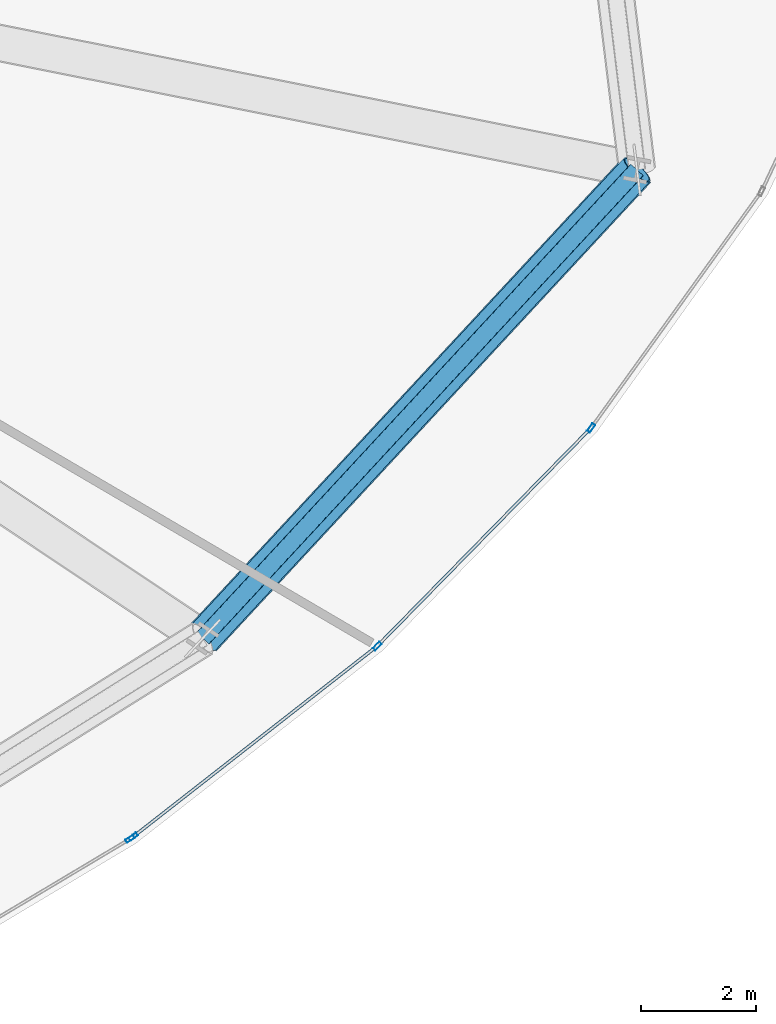
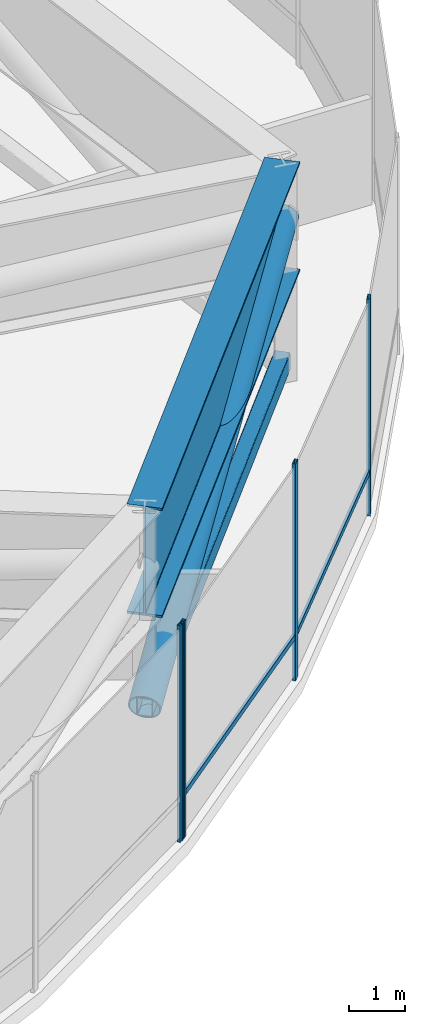
# One storey, part 13 of 33: 8 members, 1 beam, 2 elements without a shape of their own.
"""IFC4 building model written with IfcOpenShell, lengths in metres."""

from ifc_helpers import new_model, si_unit, direction, frame, origin, origin_2d, place, context, subcontext, project, spatial, hollow_rectangle, hollow_circle, i_section, extrude, source, transform, mapped, material, layer, layer_set, material_profile, profile_set, type_object, element, aggregate, save


model = new_model("IFC4")

# Units and contexts
model_context = context("Model", 3, precision=1e-05, world=origin(), true_north=direction((0.0, 1.0)))
body_context = subcontext(model_context, "Body", "Model", "MODEL_VIEW")
ifc_project = project(units=[si_unit("LENGTHUNIT", "METRE"), si_unit("AREAUNIT", "SQUARE_METRE"), si_unit("VOLUMEUNIT", "CUBIC_METRE"), si_unit("PLANEANGLEUNIT", "RADIAN"), si_unit("MASSUNIT", "GRAM", prefix="KILO"), si_unit("THERMODYNAMICTEMPERATUREUNIT", "KELVIN")], contexts=[model_context])

# Site, building, storey
site_placement = place(None, origin())
site = spatial("IfcSite", under=ifc_project, at=site_placement, CompositionType="ELEMENT")
building_placement = place(site_placement, origin())
building = spatial("IfcBuilding", under=site, at=building_placement, Name="Kethvar Cultural Tower", CompositionType="ELEMENT")
storey_placement = place(building_placement, frame((0.0, 0.0, 80.39990234375)))
storey = spatial("IfcBuildingStorey", under=building, at=storey_placement, Name="L19", CompositionType="ELEMENT", Elevation=80.39990234375)

# Beam
ifc_material_1 = material(Name="Steel S460M", Category="steel")
ifc_material_profile_1 = material_profile(ifc_material_1, i_section(OverallWidth=0.64990234375, OverallDepth=2.39990234375, WebThickness=0.030029296875, FlangeThickness=0.048095703125, FilletRadius=0.02197265625, at=origin_2d()), Name="Steel S460M — PG2400x650x48x30")
ifc_profile_set_1 = profile_set([ifc_material_profile_1], Name="Steel S460M — PG2400x650x48x30")
beam_type = type_object("IfcBeamType", Name="BM-TR2400", PredefinedType="BEAM", material=ifc_profile_set_1)
shared_shape_1 = source(origin(), body_context, "Body", "SweptSolid", [
    extrude(i_section(OverallWidth=0.64990234375, OverallDepth=2.39990234375, WebThickness=0.030029296875, FlangeThickness=0.048095703125, FilletRadius=0.02197265625, at=origin_2d()), origin(), (0.0, 0.0, 1.0), 11.13916015625),
])
beam_placement = place(storey_placement, frame((67.41845703125, 14.023193359375, 3.55810546875), z_axis=(0.679827924457, 0.73337166098, 0.0), x_axis=(-0.73337166098, 0.679827924457, 0.0)))
element("IfcBeam", 1, at=beam_placement, inside=storey, type_object=beam_type, Name="L19 Ring Belt Girder BG-15", PredefinedType="BEAM", context=body_context, shape_type="MappedRepresentation", body=[
    mapped(shared_shape_1, transform((0.0, 0.0, 0.0), scale=1.0)),
])

# Members
ifc_material_profile_2 = material_profile(ifc_material_1, hollow_rectangle(XDim=0.300048828125, YDim=0.39990234375, WallThickness=0.01611328125, InnerFilletRadius=0.01611328125, OuterFilletRadius=0.031982421875, at=origin_2d()), Name="Steel S460M — RHS400x300x16")
ifc_profile_set_2 = profile_set([ifc_material_profile_2], Name="Steel S460M — RHS400x300x16")
member_type_1 = type_object("IfcMemberType", Name="MB-CHD-400", PredefinedType="CHORD", material=ifc_profile_set_2)
shared_shape_2 = source(origin(), body_context, "Body", "SweptSolid", [
    extrude(hollow_rectangle(XDim=0.300048828125, YDim=0.39990234375, WallThickness=0.01611328125, InnerFilletRadius=0.01611328125, OuterFilletRadius=0.031982421875, at=origin_2d()), origin(), (0.0, 0.0, 1.0), 11.13916015625),
])
member_1_placement = place(storey_placement, frame((67.41845703125, 14.023193359375, 0.35009765625), z_axis=(0.679827924457, 0.73337166098, 0.0), x_axis=(-0.73337166098, 0.679827924457, 0.0)))
element("IfcMember", 2, at=member_1_placement, inside=storey, type_object=member_type_1, Name="L19 Ring Belt Bottom Chord BC-15", PredefinedType="CHORD", context=body_context, shape_type="MappedRepresentation", body=[
    mapped(shared_shape_2, transform((0.0, 0.0, 0.0), scale=1.0)),
])
ifc_material_profile_3 = material_profile(ifc_material_1, hollow_circle(Radius=0.304931640625, WallThickness=0.02490234375, at=origin_2d()), Name="Steel S460M — CHS610x25")
ifc_profile_set_3 = profile_set([ifc_material_profile_3], Name="Steel S460M — CHS610x25")
member_type_2 = type_object("IfcMemberType", Name="MB-OUT-610", PredefinedType="BRACE", material=ifc_profile_set_3)
shared_shape_3 = source(origin(), body_context, "Body", "SweptSolid", [
    extrude(hollow_circle(Radius=0.304931640625, WallThickness=0.02490234375, at=origin_2d()), origin(), (0.0, 0.0, 1.0), 11.592041015625),
])
member_2_placement = place(storey_placement, frame((67.41845703125, 14.023193359375, 0.35009765625), z_axis=(0.653276314369, 0.704728826974, 0.276744173409), x_axis=(-0.73337166098, 0.679827924457, 0.0)))
element("IfcMember", 3, at=member_2_placement, inside=storey, type_object=member_type_2, Name="L19 Ring Belt Diagonal BD-15", PredefinedType="BRACE", context=body_context, shape_type="MappedRepresentation", body=[
    mapped(shared_shape_3, transform((0.0, 0.0, 0.0), scale=1.0)),
])

# Curtain wall, member
ifc_material_2 = material(Name="Aluminium 6063-T6", Category="aluminium")
ifc_layer = layer(ifc_material_2, 0.179931640625, Name="Aluminium 6063-T6", Category="aluminium")
ifc_layer_set = layer_set([ifc_layer], Name="Aluminium 6063-T6 (180 mm)")
curtain_wall_type = type_object("IfcCurtainWallType", Name="CW-SYS-02-Z1", PredefinedType="NOTDEFINED", material=ifc_layer_set)
curtain_wall_1_placement = place(storey_placement, origin())
curtain_wall_1 = element("IfcCurtainWall", 4, at=curtain_wall_1_placement, inside=storey, type_object=curtain_wall_type, Name="L19 Curtain Wall Run 05", PredefinedType="NOTDEFINED")
ifc_material_profile_4 = material_profile(ifc_material_2, hollow_rectangle(XDim=0.06494140625, YDim=0.159912109375, WallThickness=0.0048828125, at=origin_2d()), Name="Aluminium 6063-T6 — RHS160x65x5")
ifc_profile_set_4 = profile_set([ifc_material_profile_4], Name="Aluminium 6063-T6 — RHS160x65x5")
member_type_3 = type_object("IfcMemberType", Name="CW-SYS-02-Z1-MUL", PredefinedType="MULLION", material=ifc_profile_set_4)
shared_shape_4 = source(origin(), body_context, "Body", "SweptSolid", [
    extrude(hollow_rectangle(XDim=0.06494140625, YDim=0.159912109375, WallThickness=0.0048828125, at=origin_2d()), origin(), (0.0, 0.0, 1.0), 4.760009765625),
])
member_3_placement = place(storey_placement, frame((66.150634765625, 10.525634765625, 0.0), z_axis=(0.0, 0.0, 1.0), x_axis=(-0.512417608074, 0.858736394323, 0.0)))
member_3 = element("IfcMember", 5, at=member_3_placement, type_object=member_type_3, Name="CW-L19-R05 Mullion 7", PredefinedType="MULLION", context=body_context, shape_type="MappedRepresentation", body=[
    mapped(shared_shape_4, transform((0.0, 0.0, 0.0), scale=1.0)),
])
aggregate(curtain_wall_1, [member_3])

# Curtain wall, members
curtain_wall_2_placement = place(storey_placement, origin())
curtain_wall_2 = element("IfcCurtainWall", 6, at=curtain_wall_2_placement, inside=storey, type_object=curtain_wall_type, Name="L19 Curtain Wall Run 06", PredefinedType="NOTDEFINED")
member_4_placement = place(storey_placement, frame((66.207763671875, 10.564697265625, 0.0), z_axis=(0.0, 0.0, 1.0), x_axis=(-0.615675228614, 0.788000008167, 0.0)))
member_4 = element("IfcMember", 7, at=member_4_placement, type_object=member_type_3, Name="CW-L19-R06 Mullion 1", PredefinedType="MULLION", context=body_context, shape_type="MappedRepresentation", body=[
    mapped(shared_shape_4, transform((0.0, 0.0, 0.0), scale=1.0)),
])
member_5_placement = place(storey_placement, frame((70.4619140625, 13.88720703125, 0.0), z_axis=(0.0, 0.0, 1.0), x_axis=(-0.714265053895, 0.699875298024, 0.0)))
member_5 = element("IfcMember", 8, at=member_5_placement, type_object=member_type_3, Name="CW-L19-R06 Mullion 2", PredefinedType="MULLION", context=body_context, shape_type="MappedRepresentation", body=[
    mapped(shared_shape_4, transform((0.0, 0.0, 0.0), scale=1.0)),
])
member_6_placement = place(storey_placement, frame((74.19140625, 17.69140625, 0.0), z_axis=(0.0, 0.0, 1.0), x_axis=(-0.811655550696, 0.584136342838, 0.0)))
member_6 = element("IfcMember", 9, at=member_6_placement, type_object=member_type_3, Name="CW-L19-R06 Mullion 3", PredefinedType="MULLION", context=body_context, shape_type="MappedRepresentation", body=[
    mapped(shared_shape_4, transform((0.0, 0.0, 0.0), scale=1.0)),
])
ifc_material_profile_5 = material_profile(ifc_material_2, hollow_rectangle(XDim=0.054931640625, YDim=0.1201171875, WallThickness=0.00390625, at=origin_2d()), Name="Aluminium 6063-T6 — RHS120x55x4")
ifc_profile_set_5 = profile_set([ifc_material_profile_5], Name="Aluminium 6063-T6 — RHS120x55x4")
member_type_4 = type_object("IfcMemberType", Name="CW-SYS-02-Z1-TRN", PredefinedType="USERDEFINED", material=ifc_profile_set_5)
shared_shape_5 = source(origin(), body_context, "Body", "SweptSolid", [
    extrude(hollow_rectangle(XDim=0.054931640625, YDim=0.1201171875, WallThickness=0.00390625, at=origin_2d()), origin(), (0.0, 0.0, 1.0), 5.251953125),
])
member_7_placement = place(storey_placement, frame((70.49462890625, 13.920654296875, 0.9501953125), z_axis=(0.699888270267, 0.714252342763, 0.0), x_axis=(-0.714252342763, 0.699888270267, 0.0)))
member_7 = element("IfcMember", 10, at=member_7_placement, type_object=member_type_4, Name="CW-L19-R06 Transom 2", ObjectType="TRANSOM", PredefinedType="USERDEFINED", context=body_context, shape_type="MappedRepresentation", body=[
    mapped(shared_shape_5, transform((0.0, 0.0, 0.0), scale=1.0)),
])
shared_shape_6 = source(origin(), body_context, "Body", "SweptSolid", [
    extrude(hollow_rectangle(XDim=0.054931640625, YDim=0.1201171875, WallThickness=0.00390625, at=origin_2d()), origin(), (0.0, 0.0, 1.0), 5.362060546875),
])
member_8_placement = place(storey_placement, frame((66.21142578125, 10.567626953125, 0.9501953125), z_axis=(0.788004355147, 0.615669664893, 0.0), x_axis=(-0.615669664893, 0.788004355147, 0.0)))
member_8 = element("IfcMember", 11, at=member_8_placement, type_object=member_type_4, Name="CW-L19-R06 Transom 1", ObjectType="TRANSOM", PredefinedType="USERDEFINED", context=body_context, shape_type="MappedRepresentation", body=[
    mapped(shared_shape_6, transform((0.0, 0.0, 0.0), scale=1.0)),
])
aggregate(curtain_wall_2, [member_4, member_5, member_6, member_8, member_7])

save(model, "model.ifc")
